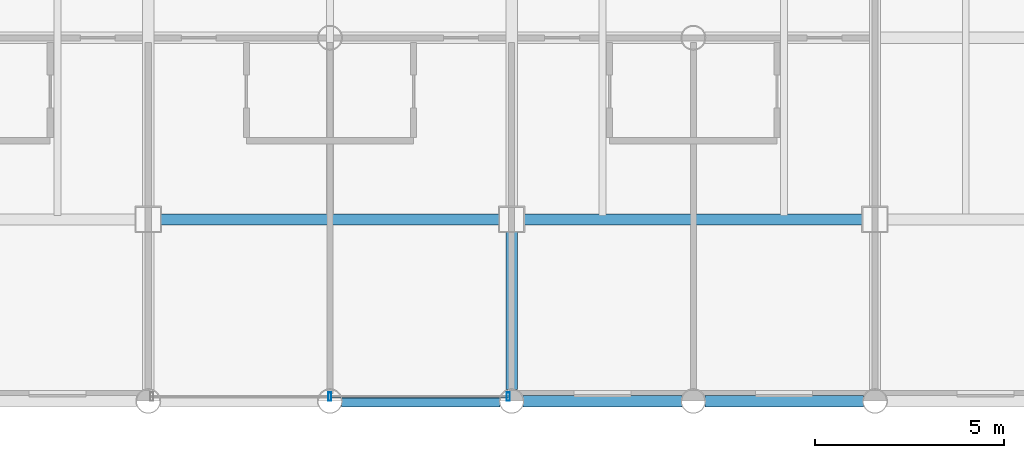
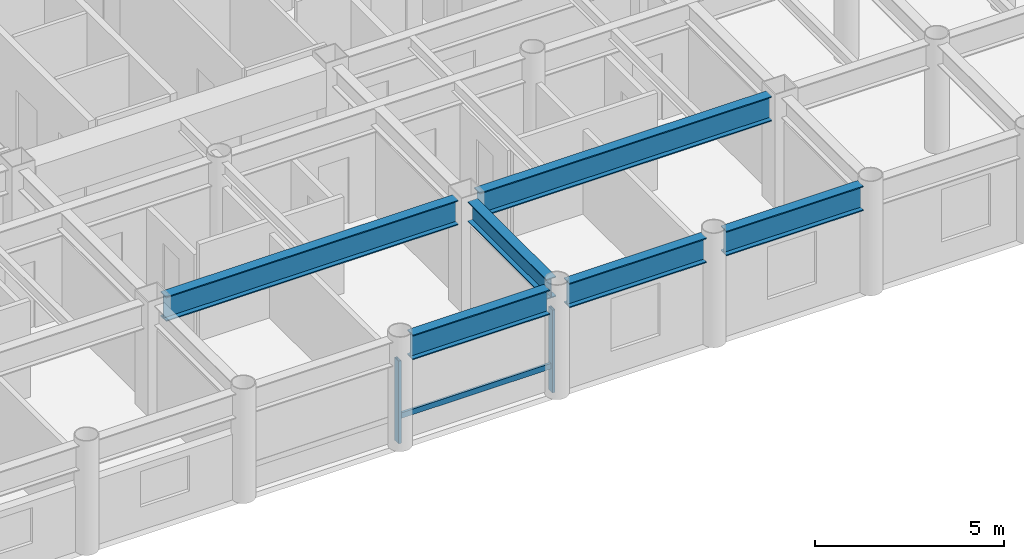
# One storey, part 6 of 20: 6 beams, 3 members, 1 element without a shape of its own.
"""IFC4 building model written with IfcOpenShell, lengths in metres."""

from ifc_helpers import new_model, si_unit, direction, frame, origin, origin_2d, place, context, subcontext, project, spatial, hollow_rectangle, i_section, extrude, material, layer, layer_set, material_profile, profile_set, type_object, element, aggregate, save


model = new_model("IFC4")

# Units and contexts
model_context = context("Model", 3, precision=1e-05, world=origin(), true_north=direction((0.0, 1.0)))
body_context = subcontext(model_context, "Body", "Model", "MODEL_VIEW")
ifc_project = project(units=[si_unit("LENGTHUNIT", "METRE"), si_unit("AREAUNIT", "SQUARE_METRE"), si_unit("VOLUMEUNIT", "CUBIC_METRE"), si_unit("PLANEANGLEUNIT", "RADIAN"), si_unit("MASSUNIT", "GRAM", prefix="KILO")], contexts=[model_context])

# Site, building, storey
site_placement = place(None, origin())
site = spatial("IfcSite", under=ifc_project, at=site_placement, CompositionType="ELEMENT")
building_placement = place(site_placement, origin())
building = spatial("IfcBuilding", under=site, at=building_placement, Name="Kallvorn Hotel Tower", CompositionType="ELEMENT")
storey_placement = place(building_placement, frame((0.0, 0.0, 132.199951171875)))
storey = spatial("IfcBuildingStorey", under=building, at=storey_placement, Name="L32", CompositionType="ELEMENT", Elevation=132.199951171875)

# Beams
ifc_material_1 = material(Name="Structural steel S355JR", Category="steel")
ifc_material_profile_1 = material_profile(ifc_material_1, i_section(OverallWidth=0.300048828125, OverallDepth=0.64990234375, WebThickness=0.01611328125, FlangeThickness=0.031005859375, at=origin_2d()), Name="HE 650 B")
ifc_profile_set_1 = profile_set([ifc_material_profile_1], Name="Structural steel S355JR")
beam_type_1 = type_object("IfcBeamType", Name="BM_HE650B", PredefinedType="BEAM", material=ifc_profile_set_1)
beam_1_placement = place(storey_placement, frame((4.800048828125, -18.89501953125, 3.195068359375), z_axis=(0.0, 1.0, 0.0), x_axis=(-1.0, 0.0, 0.0)))
element("IfcBeam", 1, at=beam_1_placement, inside=storey, type_object=beam_type_1, Name="L33 Primary Y-Girder 114", PredefinedType="BEAM", context=body_context, shape_type="SweptSolid", body=[
    extrude(i_section(OverallWidth=0.300048828125, OverallDepth=0.64990234375, WebThickness=0.01611328125, FlangeThickness=0.031005859375, at=origin_2d()), origin(), (0.0, 0.0, 1.0), 4.169921875),
])
ifc_material_2 = material(Name="Structural steel S355JR", Category="steel")
ifc_material_profile_2 = material_profile(ifc_material_2, i_section(OverallWidth=0.300048828125, OverallDepth=0.800048828125, WebThickness=0.017578125, FlangeThickness=0.032958984375, at=origin_2d()), Name="HE 800 B")
ifc_profile_set_2 = profile_set([ifc_material_profile_2], Name="Structural steel S355JR")
beam_type_2 = type_object("IfcBeamType", Name="BM_HE800B", PredefinedType="BEAM", material=ifc_profile_set_2)
beam_2_placement = place(storey_placement, frame((0.304931640625, -19.199951171875, 3.1201171875), z_axis=(1.0, 0.0, 0.0), x_axis=(0.0, 1.0, 0.0)))
element("IfcBeam", 2, at=beam_2_placement, inside=storey, type_object=beam_type_2, Name="L33 Primary X-Girder 07", PredefinedType="BEAM", context=body_context, shape_type="SweptSolid", body=[
    extrude(i_section(OverallWidth=0.300048828125, OverallDepth=0.800048828125, WebThickness=0.017578125, FlangeThickness=0.032958984375, at=origin_2d()), origin(), (0.0, 0.0, 1.0), 4.190185546875),
])
for number, where, z_axis, x_axis, name in (
    (3, (5.10498046875, -19.199951171875, 3.1201171875), (1.0, 0.0, 0.0), (0.0, 1.0, 0.0), "L33 Primary X-Girder 08"),
    (4, (9.905029296875, -19.199951171875, 3.1201171875), (1.0, 0.0, 0.0), (0.0, 1.0, 0.0), "L33 Primary X-Girder 09"),
):
    element("IfcBeam", number, at=place(storey_placement, frame(where, z_axis=z_axis, x_axis=x_axis)), inside=storey, type_object=beam_type_2, Name=name, PredefinedType="BEAM", context=body_context, shape_type="SweptSolid", body=[
        extrude(i_section(OverallWidth=0.300048828125, OverallDepth=0.800048828125, WebThickness=0.017578125, FlangeThickness=0.032958984375, at=origin_2d()), origin(), (0.0, 0.0, 1.0), 4.18994140625),
    ])
beam_3_placement = place(storey_placement, frame((-4.47509765625, -14.39990234375, 3.1201171875), z_axis=(1.0, 0.0, 0.0), x_axis=(0.0, 1.0, 0.0)))
element("IfcBeam", 5, at=beam_3_placement, inside=storey, type_object=beam_type_2, Name="L33 Primary X-Girder 18", PredefinedType="BEAM", context=body_context, shape_type="SweptSolid", body=[
    extrude(i_section(OverallWidth=0.300048828125, OverallDepth=0.800048828125, WebThickness=0.017578125, FlangeThickness=0.032958984375, at=origin_2d()), origin(), (0.0, 0.0, 1.0), 8.9501953125),
])
beam_4_placement = place(storey_placement, frame((5.125, -14.39990234375, 3.1201171875), z_axis=(1.0, 0.0, 0.0), x_axis=(0.0, 1.0, 0.0)))
element("IfcBeam", 6, at=beam_4_placement, inside=storey, type_object=beam_type_2, Name="L33 Primary X-Girder 19", PredefinedType="BEAM", context=body_context, shape_type="SweptSolid", body=[
    extrude(i_section(OverallWidth=0.300048828125, OverallDepth=0.800048828125, WebThickness=0.017578125, FlangeThickness=0.032958984375, at=origin_2d()), origin(), (0.0, 0.0, 1.0), 8.949951171875),
])

# Curtain wall, members
ifc_material_3 = material(Name="Thermally broken black-anodised aluminium AA 6063-T6", Category="aluminium")
ifc_layer = layer(ifc_material_3, 0.2099609375)
ifc_layer_set = layer_set([ifc_layer], Name="CW_SYS_4_HOTEL_MID")
curtain_wall_type = type_object("IfcCurtainWallType", Name="CW_SYS_4_HOTEL_MID", PredefinedType="USERDEFINED", material=ifc_layer_set)
curtain_wall_placement = place(storey_placement, origin())
curtain_wall = element("IfcCurtainWall", 7, at=curtain_wall_placement, inside=storey, type_object=curtain_wall_type, Name="L32 Dark-Glass Curtain Wall CW-L32-SC", ObjectType="UNITISED CURTAIN WALL", PredefinedType="USERDEFINED")
ifc_material_4 = material(Name="Thermally broken black-anodised aluminium AA 6063-T6", Category="aluminium")
ifc_material_profile_3 = material_profile(ifc_material_4, hollow_rectangle(XDim=0.080078125, YDim=0.219970703125, WallThickness=0.0048828125, at=origin_2d()), Name="MUL 220x80")
ifc_profile_set_3 = profile_set([ifc_material_profile_3], Name="Thermally broken black-anodised aluminium AA 6063-T6")
member_type_1 = type_object("IfcMemberType", Name="CW_MULLION_220x80", PredefinedType="MULLION", material=ifc_profile_set_3)
member_1_placement = place(storey_placement, frame((0.0, -19.080078125, 0.02001953125), z_axis=(0.0, 0.0, 1.0), x_axis=(1.0, 0.0, 0.0)))
member_1 = element("IfcMember", 8, at=member_1_placement, type_object=member_type_1, Name="CW-L32-SC Mullion 01", PredefinedType="MULLION", context=body_context, shape_type="SweptSolid", body=[
    extrude(hollow_rectangle(XDim=0.080078125, YDim=0.219970703125, WallThickness=0.0048828125, at=origin_2d()), origin(), (0.0, 0.0, 1.0), 2.679931640625),
])
member_2_placement = place(storey_placement, frame((4.7099609375, -19.080078125, 0.02001953125), z_axis=(0.0, 0.0, 1.0), x_axis=(1.0, 0.0, 0.0)))
member_2 = element("IfcMember", 9, at=member_2_placement, type_object=member_type_1, Name="CW-L32-SC Mullion 02", PredefinedType="MULLION", context=body_context, shape_type="SweptSolid", body=[
    extrude(hollow_rectangle(XDim=0.080078125, YDim=0.219970703125, WallThickness=0.0048828125, at=origin_2d()), origin(), (0.0, 0.0, 1.0), 2.679931640625),
])
ifc_material_5 = material(Name="Thermally broken black-anodised aluminium AA 6063-T6", Category="aluminium")
ifc_material_profile_4 = material_profile(ifc_material_5, hollow_rectangle(XDim=0.070068359375, YDim=0.179931640625, WallThickness=0.00390625, at=origin_2d()), Name="TRN 180x70")
ifc_profile_set_4 = profile_set([ifc_material_profile_4], Name="Thermally broken black-anodised aluminium AA 6063-T6")
member_type_2 = type_object("IfcMemberType", Name="CW_TRANSOM_180x70", PredefinedType="USERDEFINED", material=ifc_profile_set_4)
member_3_placement = place(storey_placement, frame((0.0400390625, -19.080078125, 0.85009765625), z_axis=(1.0, 0.0, 0.0), x_axis=(0.0, 1.0, 0.0)))
member_3 = element("IfcMember", 10, at=member_3_placement, type_object=member_type_2, Name="CW-L32-SC Transom 01M", ObjectType="TRANSOM", PredefinedType="USERDEFINED", context=body_context, shape_type="SweptSolid", body=[
    extrude(hollow_rectangle(XDim=0.070068359375, YDim=0.179931640625, WallThickness=0.00390625, at=origin_2d()), origin(), (0.0, 0.0, 1.0), 4.669921875),
])
aggregate(curtain_wall, [member_1, member_2, member_3])

save(model, "model.ifc")
